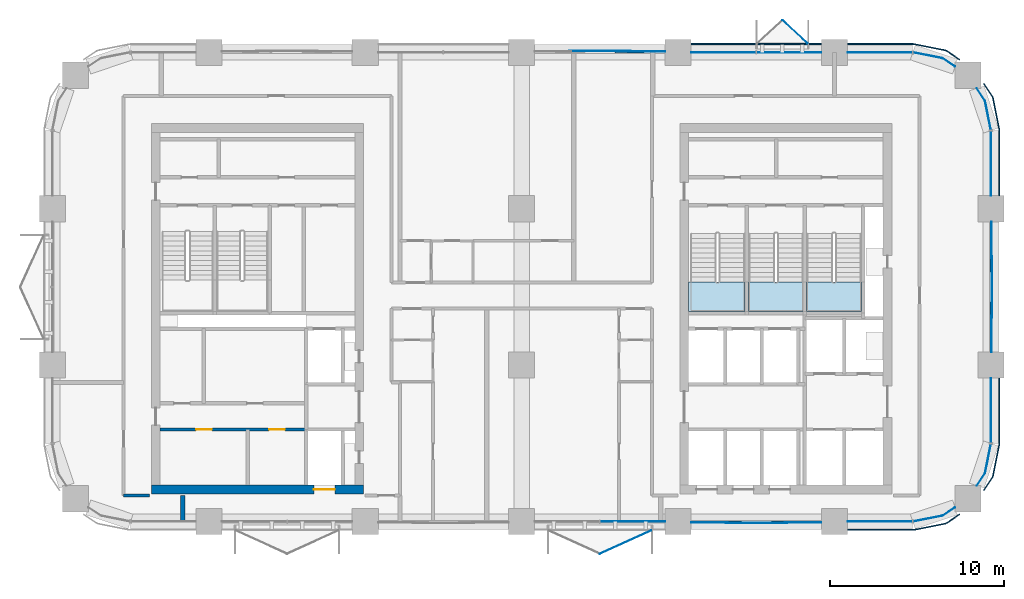
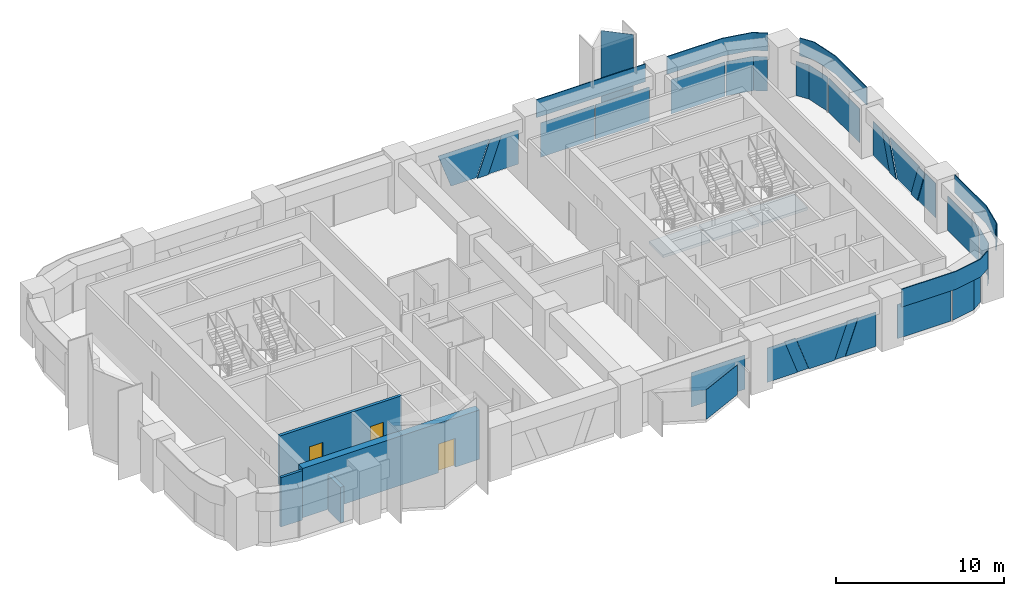
# One storey, part 7 of 14: 31 plates, 4 walls, 3 doors, 3 slabs, 3 openings, 12 elements without a shape of their own.
"""IFC4 building model written with IfcOpenShell, lengths in metres."""

from ifc_helpers import new_model, si_unit, direction, frame, frame_2d, origin, origin_2d, place, context, subcontext, project, spatial, polyline, rectangle, outline, extrude, material, layer, layer_set, type_object, element, fill, aggregate, save


model = new_model("IFC4")

# Units and contexts
model_context = context("Model", 3, precision=1e-05, world=origin(), true_north=direction((0.0, 1.0)))
body_context = subcontext(model_context, "Body", "Model", "MODEL_VIEW")
ifc_project = project(units=[si_unit("LENGTHUNIT", "METRE"), si_unit("AREAUNIT", "SQUARE_METRE"), si_unit("VOLUMEUNIT", "CUBIC_METRE"), si_unit("PLANEANGLEUNIT", "RADIAN"), si_unit("MASSUNIT", "GRAM", prefix="KILO")], contexts=[model_context])

# Site, building, storey
site_placement = place(None, origin())
site = spatial("IfcSite", under=ifc_project, at=site_placement, CompositionType="ELEMENT")
building_placement = place(site_placement, origin())
building = spatial("IfcBuilding", under=site, at=building_placement, Name="Tessera Arch", CompositionType="ELEMENT")
storey_placement = place(building_placement, frame((0.0, 0.0, 142.699951171875)))
storey = spatial("IfcBuildingStorey", under=building, at=storey_placement, Name="L33", CompositionType="ELEMENT", Elevation=142.699951171875)

# Curtain wall, plates
ifc_material_1 = material(Name="CW1 curtain wall")
curtain_wall_type_1 = type_object("IfcCurtainWallType", Name="CW1 curtain wall", PredefinedType="NOTDEFINED", material=ifc_material_1)
curtain_wall_1_placement = place(storey_placement, origin())
curtain_wall_1 = element("IfcCurtainWall", 1, at=curtain_wall_1_placement, inside=storey, type_object=curtain_wall_type_1, Name="CW1 curtain wall N54.0/1 L33", PredefinedType="NOTDEFINED")
ifc_material_2 = material(Name="Clear low-e glass", Category="glass")
ifc_material_3 = material(Name="Clear low-e glass", Category="glass")
ifc_layer_1 = layer(ifc_material_3, 0.028076171875)
ifc_layer_set_1 = layer_set([ifc_layer_1], Name="CW1 glass panel")
plate_type_1 = type_object("IfcPlateType", Name="CW1 glass panel", PredefinedType="CURTAIN_PANEL", material=ifc_layer_set_1)
plate_1_placement = place(storey_placement, frame((42.389892578125, 54.0, 0.0), z_axis=(0.0, 0.0, 1.0), x_axis=(-1.0, 0.0, 0.0)))
plate_1 = element("IfcPlate", 2, at=plate_1_placement, type_object=plate_type_1, material=ifc_material_2, Name="CW1 glass panel N54.0/1 1.1.1", PredefinedType="CURTAIN_PANEL", context=body_context, shape_type="SweptSolid", body=[
    extrude(rectangle(XDim=3.719970703125, YDim=0.028076171875, at=origin_2d()), origin(), (0.0, 0.0, 1.0), 2.5),
])
plate_2_placement = place(storey_placement, frame((38.610107421875, 54.0, 0.0), z_axis=(0.0, 0.0, 1.0), x_axis=(-1.0, 0.0, 0.0)))
plate_2 = element("IfcPlate", 3, at=plate_2_placement, type_object=plate_type_1, material=ifc_material_2, Name="CW1 glass panel N54.0/1 1.2.1", PredefinedType="CURTAIN_PANEL", context=body_context, shape_type="SweptSolid", body=[
    extrude(rectangle(XDim=3.719970703125, YDim=0.028076171875, at=origin_2d()), origin(), (0.0, 0.0, 1.0), 2.5),
])

# Curtain wall, plate
curtain_wall_2_placement = place(storey_placement, origin())
curtain_wall_2 = element("IfcCurtainWall", 4, at=curtain_wall_2_placement, inside=storey, type_object=curtain_wall_type_1, Name="CW1 curtain wall S27.0/3 L33", PredefinedType="NOTDEFINED")
plate_3_placement = place(storey_placement, frame((33.389892578125, 27.0, 0.0), z_axis=(0.0, 0.0, 1.0), x_axis=(1.0, 0.0, 0.0)))
plate_3 = element("IfcPlate", 5, at=plate_3_placement, type_object=plate_type_1, material=ifc_material_2, Name="CW1 glass panel S27.0/3 1.2.1", PredefinedType="CURTAIN_PANEL", context=body_context, shape_type="SweptSolid", body=[
    extrude(rectangle(XDim=3.719970703125, YDim=0.028076171875, at=origin_2d()), origin(), (0.0, 0.0, 1.0), 2.5),
])
aggregate(curtain_wall_2, [plate_3])

# Plate
ifc_material_4 = material(Name="Pale anodised aluminium panel", Category="aluminium")
ifc_layer_2 = layer(ifc_material_4, 0.06005859375)
ifc_layer_set_2 = layer_set([ifc_layer_2], Name="CW1 spandrel panel")
plate_type_2 = type_object("IfcPlateType", Name="CW1 spandrel panel", PredefinedType="CURTAIN_PANEL", material=ifc_layer_set_2)
plate_4_placement = place(storey_placement, frame((40.5, 54.47998046875, 2.60009765625), z_axis=(0.0, 0.0, 1.0), x_axis=(-1.0, 0.0, 0.0)))
plate_4 = element("IfcPlate", 6, at=plate_4_placement, type_object=plate_type_2, Name="CW1 spandrel panel N54.0/1", PredefinedType="CURTAIN_PANEL", context=body_context, shape_type="SweptSolid", body=[
    extrude(rectangle(XDim=7.5, YDim=0.06005859375, at=origin_2d()), origin(), (0.0, 0.0, 1.0), 1.300048828125),
])

aggregate(curtain_wall_1, [plate_1, plate_2, plate_4])

# Curtain wall, plates
ifc_material_5 = material(Name="CW2 curtain wall")
curtain_wall_type_2 = type_object("IfcCurtainWallType", Name="CW2 curtain wall", PredefinedType="NOTDEFINED", material=ifc_material_5)
curtain_wall_3_placement = place(storey_placement, origin())
curtain_wall_3 = element("IfcCurtainWall", 7, at=curtain_wall_3_placement, inside=storey, type_object=curtain_wall_type_2, Name="CW2 curtain wall E54.27/1 L33", PredefinedType="NOTDEFINED")
ifc_material_6 = material(Name="Clear low-e glass", Category="glass")
ifc_layer_3 = layer(ifc_material_6, 0.028076171875)
ifc_layer_set_3 = layer_set([ifc_layer_3], Name="CW2 glass panel")
plate_type_3 = type_object("IfcPlateType", Name="CW2 glass panel", PredefinedType="CURTAIN_PANEL", material=ifc_layer_set_3)
plate_5_placement = place(storey_placement, frame((54.0, 47.60498046875, 0.0), z_axis=(0.0, 0.0, 1.0), x_axis=(0.0, 1.0, 0.0)))
plate_5 = element("IfcPlate", 8, at=plate_5_placement, type_object=plate_type_3, material=ifc_material_2, Name="CW2 glass panel E54.27/1 1.1", PredefinedType="CURTAIN_PANEL", context=body_context, shape_type="SweptSolid", body=[
    extrude(rectangle(XDim=3.7099609375, YDim=0.028076171875, at=origin_2d()), origin(), (0.0, 0.0, 1.0), 2.5),
])
plate_6_placement = place(storey_placement, origin())
plate_6 = element("IfcPlate", 9, at=plate_6_placement, type_object=plate_type_3, material=ifc_material_2, Name="CW2 curved glass panel E54.27/1 2.1", PredefinedType="CURTAIN_PANEL", context=body_context, shape_type="SweptSolid", body=[
    extrude(outline(polyline([(53.644287109375, 51.216552734375), (53.978515625, 49.53662109375), (54.005859375, 49.5419921875), (53.670654296875, 51.2275390625), (53.19482421875, 51.939697265625), (53.17138671875, 51.92431640625), (53.644287109375, 51.216552734375)])), origin(), (0.0, 0.0, 1.0), 2.5),
])

curtain_wall_4_placement = place(storey_placement, origin())
curtain_wall_4 = element("IfcCurtainWall", 10, at=curtain_wall_4_placement, inside=storey, type_object=curtain_wall_type_2, Name="CW2 curtain wall N54.0/0 L33", PredefinedType="NOTDEFINED")
plate_7_placement = place(storey_placement, frame((47.60498046875, 54.0, 0.0), z_axis=(0.0, 0.0, 1.0), x_axis=(-1.0, 0.0, 0.0)))
plate_7 = element("IfcPlate", 11, at=plate_7_placement, type_object=plate_type_3, material=ifc_material_2, Name="CW2 glass panel N54.0/0 1.1", PredefinedType="CURTAIN_PANEL", context=body_context, shape_type="SweptSolid", body=[
    extrude(rectangle(XDim=3.7099609375, YDim=0.028076171875, at=origin_2d()), origin(), (0.0, 0.0, 1.0), 2.5),
])
plate_8_placement = place(storey_placement, origin())
plate_8 = element("IfcPlate", 12, at=plate_8_placement, type_object=plate_type_3, material=ifc_material_2, Name="CW2 curved glass panel N54.0/0 2.1", PredefinedType="CURTAIN_PANEL", context=body_context, shape_type="SweptSolid", body=[
    extrude(outline(polyline([(51.216552734375, 53.644287109375), (51.92431640625, 53.17138671875), (51.939697265625, 53.19482421875), (51.2275390625, 53.670654296875), (49.5419921875, 54.005859375), (49.53662109375, 53.978515625), (51.216552734375, 53.644287109375)])), origin(), (0.0, 0.0, 1.0), 2.5),
])

curtain_wall_5_placement = place(storey_placement, origin())
curtain_wall_5 = element("IfcCurtainWall", 13, at=curtain_wall_5_placement, inside=storey, type_object=curtain_wall_type_2, Name="CW2 curtain wall S27.0/5 L33", PredefinedType="NOTDEFINED")
plate_9_placement = place(storey_placement, frame((47.60498046875, 27.0, 0.0), z_axis=(0.0, 0.0, 1.0), x_axis=(1.0, 0.0, 0.0)))
plate_9 = element("IfcPlate", 14, at=plate_9_placement, type_object=plate_type_3, material=ifc_material_2, Name="CW2 glass panel S27.0/5 1.1", PredefinedType="CURTAIN_PANEL", context=body_context, shape_type="SweptSolid", body=[
    extrude(rectangle(XDim=3.7099609375, YDim=0.028076171875, at=origin_2d()), origin(), (0.0, 0.0, 1.0), 2.5),
])
plate_10_placement = place(storey_placement, origin())
plate_10 = element("IfcPlate", 15, at=plate_10_placement, type_object=plate_type_3, material=ifc_material_2, Name="CW2 curved glass panel S27.0/5 2.1", PredefinedType="CURTAIN_PANEL", context=body_context, shape_type="SweptSolid", body=[
    extrude(outline(polyline([(51.216552734375, 27.355712890625), (49.53662109375, 27.021484375), (49.5419921875, 26.994140625), (51.2275390625, 27.329345703125), (51.939697265625, 27.80517578125), (51.92431640625, 27.82861328125), (51.216552734375, 27.355712890625)])), origin(), (0.0, 0.0, 1.0), 2.5),
])

curtain_wall_6_placement = place(storey_placement, origin())
curtain_wall_6 = element("IfcCurtainWall", 16, at=curtain_wall_6_placement, inside=storey, type_object=curtain_wall_type_2, Name="CW2 curtain wall E54.27/2 L33", PredefinedType="NOTDEFINED")
plate_11_placement = place(storey_placement, frame((54.0, 33.39501953125, 0.0), z_axis=(0.0, 0.0, 1.0), x_axis=(0.0, 1.0, 0.0)))
plate_11 = element("IfcPlate", 17, at=plate_11_placement, type_object=plate_type_3, material=ifc_material_2, Name="CW2 glass panel E54.27/2 1.1", PredefinedType="CURTAIN_PANEL", context=body_context, shape_type="SweptSolid", body=[
    extrude(rectangle(XDim=3.7099609375, YDim=0.028076171875, at=origin_2d()), origin(), (0.0, 0.0, 1.0), 2.5),
])
plate_12_placement = place(storey_placement, origin())
plate_12 = element("IfcPlate", 18, at=plate_12_placement, type_object=plate_type_3, material=ifc_material_2, Name="CW2 curved glass panel E54.27/2 2.1", PredefinedType="CURTAIN_PANEL", context=body_context, shape_type="SweptSolid", body=[
    extrude(outline(polyline([(53.644287109375, 29.783447265625), (53.17138671875, 29.07568359375), (53.19482421875, 29.060302734375), (53.670654296875, 29.7724609375), (54.005859375, 31.4580078125), (53.978515625, 31.46337890625), (53.644287109375, 29.783447265625)])), origin(), (0.0, 0.0, 1.0), 2.5),
])

# Plate
ifc_material_7 = material(Name="Pale anodised aluminium panel", Category="aluminium")
ifc_layer_4 = layer(ifc_material_7, 0.06005859375)
ifc_layer_set_4 = layer_set([ifc_layer_4], Name="CW2 spandrel panel")
plate_type_4 = type_object("IfcPlateType", Name="CW2 spandrel panel", PredefinedType="CURTAIN_PANEL", material=ifc_layer_set_4)
plate_13_placement = place(storey_placement, frame((0.0, 0.0, 2.60009765625)))
plate_13 = element("IfcPlate", 19, at=plate_13_placement, type_object=plate_type_4, Name="CW2 spandrel panel E54.27/1", PredefinedType="CURTAIN_PANEL", context=body_context, shape_type="SweptSolid", body=[
    extrude(outline(polyline([(54.449951171875, 49.499267578125), (54.449951171875, 45.75), (54.510009765625, 45.75), (54.510009765625, 49.500732421875), (54.507568359375, 49.550048828125), (54.500244140625, 49.598876953125), (54.157470703125, 51.322265625), (54.1455078125, 51.3701171875), (54.128662109375, 51.417236328125), (54.107421875, 51.462646484375), (54.08203125, 51.5048828125), (53.607177734375, 52.21533203125), (53.55712890625, 52.18212890625), (54.03125, 51.47265625), (54.054443359375, 51.434326171875), (54.0732421875, 51.394287109375), (54.088134765625, 51.352783203125), (54.09912109375, 51.30908203125), (54.441162109375, 49.588623046875), (54.44775390625, 49.544189453125), (54.449951171875, 49.499267578125)])), origin(), (0.0, 0.0, 1.0), 1.300048828125),
])

aggregate(curtain_wall_3, [plate_5, plate_6, plate_13])

plate_14_placement = place(storey_placement, frame((0.0, 0.0, 2.60009765625)))
plate_14 = element("IfcPlate", 20, at=plate_14_placement, type_object=plate_type_4, Name="CW2 spandrel panel N54.0/0", PredefinedType="CURTAIN_PANEL", context=body_context, shape_type="SweptSolid", body=[
    extrude(outline(polyline([(51.47265625, 54.03125), (52.18212890625, 53.55712890625), (52.21533203125, 53.607177734375), (51.5048828125, 54.08203125), (51.462646484375, 54.107421875), (51.417236328125, 54.128662109375), (51.3701171875, 54.1455078125), (51.322265625, 54.157470703125), (49.598876953125, 54.500244140625), (49.550048828125, 54.507568359375), (49.500732421875, 54.510009765625), (45.75, 54.510009765625), (45.75, 54.449951171875), (49.499267578125, 54.449951171875), (49.544189453125, 54.44775390625), (49.588623046875, 54.441162109375), (51.30908203125, 54.09912109375), (51.352783203125, 54.088134765625), (51.394287109375, 54.0732421875), (51.434326171875, 54.054443359375), (51.47265625, 54.03125)])), origin(), (0.0, 0.0, 1.0), 1.300048828125),
])

aggregate(curtain_wall_4, [plate_7, plate_8, plate_14])

plate_15_placement = place(storey_placement, frame((0.0, 0.0, 2.60009765625)))
plate_15 = element("IfcPlate", 21, at=plate_15_placement, type_object=plate_type_4, Name="CW2 spandrel panel S27.0/5", PredefinedType="CURTAIN_PANEL", context=body_context, shape_type="SweptSolid", body=[
    extrude(outline(polyline([(49.499267578125, 26.550048828125), (45.75, 26.550048828125), (45.75, 26.489990234375), (49.500732421875, 26.489990234375), (49.550048828125, 26.492431640625), (49.598876953125, 26.499755859375), (51.322265625, 26.842529296875), (51.3701171875, 26.8544921875), (51.417236328125, 26.871337890625), (51.462646484375, 26.892578125), (51.5048828125, 26.91796875), (52.21533203125, 27.392822265625), (52.18212890625, 27.44287109375), (51.47265625, 26.96875), (51.434326171875, 26.945556640625), (51.394287109375, 26.9267578125), (51.352783203125, 26.911865234375), (51.30908203125, 26.90087890625), (49.588623046875, 26.558837890625), (49.544189453125, 26.55224609375), (49.499267578125, 26.550048828125)])), origin(), (0.0, 0.0, 1.0), 1.300048828125),
])

aggregate(curtain_wall_5, [plate_9, plate_10, plate_15])

plate_16_placement = place(storey_placement, frame((0.0, 0.0, 2.60009765625)))
plate_16 = element("IfcPlate", 22, at=plate_16_placement, type_object=plate_type_4, Name="CW2 spandrel panel E54.27/2", PredefinedType="CURTAIN_PANEL", context=body_context, shape_type="SweptSolid", body=[
    extrude(outline(polyline([(54.03125, 29.52734375), (53.55712890625, 28.81787109375), (53.607177734375, 28.78466796875), (54.08203125, 29.4951171875), (54.107421875, 29.537353515625), (54.128662109375, 29.582763671875), (54.1455078125, 29.6298828125), (54.157470703125, 29.677734375), (54.500244140625, 31.401123046875), (54.507568359375, 31.449951171875), (54.510009765625, 31.499267578125), (54.510009765625, 35.25), (54.449951171875, 35.25), (54.449951171875, 31.500732421875), (54.44775390625, 31.455810546875), (54.441162109375, 31.411376953125), (54.09912109375, 29.69091796875), (54.088134765625, 29.647216796875), (54.0732421875, 29.605712890625), (54.054443359375, 29.565673828125), (54.03125, 29.52734375)])), origin(), (0.0, 0.0, 1.0), 1.300048828125),
])

aggregate(curtain_wall_6, [plate_11, plate_12, plate_16])

# Curtain wall, plates
ifc_material_8 = material(Name="CW3 curtain wall")
curtain_wall_type_3 = type_object("IfcCurtainWallType", Name="CW3 curtain wall", PredefinedType="NOTDEFINED", material=ifc_material_8)
curtain_wall_7_placement = place(storey_placement, origin())
curtain_wall_7 = element("IfcCurtainWall", 23, at=curtain_wall_7_placement, inside=storey, type_object=curtain_wall_type_3, Name="CW3 curtain wall E54.27/0 L33", PredefinedType="NOTDEFINED")
ifc_material_9 = material(Name="Pale anodised aluminium panel", Category="aluminium")
ifc_layer_5 = layer(ifc_material_9, 0.06005859375)
ifc_layer_set_5 = layer_set([ifc_layer_5], Name="CW3 diagonal panel")
plate_type_5 = type_object("IfcPlateType", Name="CW3 diagonal panel", PredefinedType="CURTAIN_PANEL", material=ifc_layer_set_5)
plate_17_placement = place(storey_placement, frame((54.030029296875, 43.033203125, 2.5), z_axis=(1.0, 0.0, 0.0), x_axis=(0.0, -1.0, 0.0)))
plate_17 = element("IfcPlate", 24, at=plate_17_placement, type_object=plate_type_5, Name="CW3 diagonal panel E54.27/0 1", PredefinedType="CURTAIN_PANEL", context=body_context, shape_type="SweptSolid", body=[
    extrude(outline(polyline([(0.0, 0.0), (0.765625, 0.0), (1.654052734375, 2.5), (0.888671875, 2.5), (0.0, 0.0)])), origin(), (0.0, 0.0, -1.0), 0.06005859375),
])
plate_18_placement = place(storey_placement, frame((54.030029296875, 38.732421875, 2.5), z_axis=(1.0, 0.0, 0.0), x_axis=(0.0, -1.0, 0.0)))
plate_18 = element("IfcPlate", 25, at=plate_18_placement, type_object=plate_type_5, Name="CW3 diagonal panel E54.27/0 2", PredefinedType="CURTAIN_PANEL", context=body_context, shape_type="SweptSolid", body=[
    extrude(outline(polyline([(0.0, 0.0), (0.765625, 0.0), (-0.123046875, 2.5), (-0.888427734375, 2.5), (0.0, 0.0)])), origin(), (0.0, 0.0, -1.0), 0.06005859375),
])

# Curtain wall, plate
curtain_wall_8_placement = place(storey_placement, origin())
curtain_wall_8 = element("IfcCurtainWall", 26, at=curtain_wall_8_placement, inside=storey, type_object=curtain_wall_type_3, Name="CW3 curtain wall N54.0/2 L33", PredefinedType="NOTDEFINED")
plate_19_placement = place(storey_placement, frame((33.267578125, 54.030029296875, 2.5), z_axis=(0.0, 1.0, 0.0), x_axis=(1.0, 0.0, 0.0)))
plate_19 = element("IfcPlate", 27, at=plate_19_placement, type_object=plate_type_5, Name="CW3 diagonal panel N54.0/2 2", PredefinedType="CURTAIN_PANEL", context=body_context, shape_type="SweptSolid", body=[
    extrude(outline(polyline([(0.0, 0.0), (0.765625, 0.0), (-0.123046875, 2.5), (-0.888427734375, 2.5), (0.0, 0.0)])), origin(), (0.0, 0.0, -1.0), 0.06005859375),
])

# Curtain wall, plates
curtain_wall_9_placement = place(storey_placement, origin())
curtain_wall_9 = element("IfcCurtainWall", 28, at=curtain_wall_9_placement, inside=storey, type_object=curtain_wall_type_3, Name="CW3 curtain wall S27.0/4 L33", PredefinedType="NOTDEFINED")
plate_20_placement = place(storey_placement, frame((43.033203125, 26.969970703125, 2.5), z_axis=(0.0, -1.0, 0.0), x_axis=(-1.0, 0.0, 0.0)))
plate_20 = element("IfcPlate", 29, at=plate_20_placement, type_object=plate_type_5, Name="CW3 diagonal panel S27.0/4 1", PredefinedType="CURTAIN_PANEL", context=body_context, shape_type="SweptSolid", body=[
    extrude(outline(polyline([(0.0, 0.0), (0.765625, 0.0), (1.654052734375, 2.5), (0.888671875, 2.5), (0.0, 0.0)])), origin(), (0.0, 0.0, -1.0), 0.06005859375),
])
plate_21_placement = place(storey_placement, frame((38.732421875, 26.969970703125, 2.5), z_axis=(0.0, -1.0, 0.0), x_axis=(-1.0, 0.0, 0.0)))
plate_21 = element("IfcPlate", 30, at=plate_21_placement, type_object=plate_type_5, Name="CW3 diagonal panel S27.0/4 2", PredefinedType="CURTAIN_PANEL", context=body_context, shape_type="SweptSolid", body=[
    extrude(outline(polyline([(0.0, 0.0), (0.765625, 0.0), (-0.123046875, 2.5), (-0.888427734375, 2.5), (0.0, 0.0)])), origin(), (0.0, 0.0, -1.0), 0.06005859375),
])

# Plate
ifc_material_10 = material(Name="Clear low-e glass", Category="glass")
ifc_layer_6 = layer(ifc_material_10, 0.028076171875)
ifc_layer_set_6 = layer_set([ifc_layer_6], Name="CW3 glass panel")
plate_type_6 = type_object("IfcPlateType", Name="CW3 glass panel", PredefinedType="CURTAIN_PANEL", material=ifc_layer_set_6)
plate_22_placement = place(storey_placement, frame((54.05810546875, 36.75, 0.0), z_axis=(1.0, 0.0, 0.0), x_axis=(0.0, 1.0, 0.0)))
plate_22 = element("IfcPlate", 31, at=plate_22_placement, type_object=plate_type_6, material=ifc_material_2, Name="CW3 triangulated glass panel E54.27/0 1", PredefinedType="CURTAIN_PANEL", context=body_context, shape_type="SweptSolid", body=[
    extrude(outline(polyline([(0.0, 0.0), (2.10546875, 0.0), (1.216796875, 2.5), (0.0, 2.5), (0.0, 0.0)])), origin(), (0.0, 0.0, -1.0), 0.028076171875),
])

plate_23_placement = place(storey_placement, frame((54.0859375, 42.267578125, 2.5), z_axis=(1.0, 0.0, 0.0), x_axis=(0.0, -1.0, 0.0)))
plate_23 = element("IfcPlate", 32, at=plate_23_placement, type_object=plate_type_6, material=ifc_material_2, Name="CW3 triangulated glass panel E54.27/0 2", PredefinedType="CURTAIN_PANEL", context=body_context, shape_type="SweptSolid", body=[
    extrude(outline(polyline([(0.0, 0.0), (3.53515625, 0.0), (2.646728515625, 2.5), (0.888427734375, 2.5), (0.0, 0.0)])), origin(), (0.0, 0.0, -1.0), 0.028076171875),
])

plate_24_placement = place(storey_placement, frame((54.05810546875, 44.25, 2.5), z_axis=(1.0, 0.0, 0.0), x_axis=(0.0, -1.0, 0.0)))
plate_24 = element("IfcPlate", 33, at=plate_24_placement, type_object=plate_type_6, material=ifc_material_2, Name="CW3 triangulated glass panel E54.27/0 3", PredefinedType="CURTAIN_PANEL", context=body_context, shape_type="SweptSolid", body=[
    extrude(outline(polyline([(0.0, 0.0), (1.216796875, 0.0), (2.10546875, 2.5), (0.0, 2.5), (0.0, 0.0)])), origin(), (0.0, 0.0, -1.0), 0.028076171875),
])

aggregate(curtain_wall_7, [plate_22, plate_23, plate_24, plate_17, plate_18])

plate_25_placement = place(storey_placement, frame((35.25, 54.05810546875, 0.0), z_axis=(0.0, 1.0, 0.0), x_axis=(-1.0, 0.0, 0.0)))
plate_25 = element("IfcPlate", 34, at=plate_25_placement, type_object=plate_type_6, material=ifc_material_2, Name="CW3 triangulated glass panel N54.0/2 1", PredefinedType="CURTAIN_PANEL", context=body_context, shape_type="SweptSolid", body=[
    extrude(outline(polyline([(0.0, 0.0), (2.10546875, 0.0), (1.216796875, 2.5), (0.0, 2.5), (0.0, 0.0)])), origin(), (0.0, 0.0, -1.0), 0.028076171875),
])

plate_26_placement = place(storey_placement, frame((29.732421875, 54.0859375, 2.5), z_axis=(0.0, 1.0, 0.0), x_axis=(1.0, 0.0, 0.0)))
plate_26 = element("IfcPlate", 35, at=plate_26_placement, type_object=plate_type_6, material=ifc_material_2, Name="CW3 triangulated glass panel N54.0/2 2", PredefinedType="CURTAIN_PANEL", context=body_context, shape_type="SweptSolid", body=[
    extrude(outline(polyline([(0.0, 0.0), (3.53515625, 0.0), (2.646728515625, 2.5), (0.888427734375, 2.5), (0.0, 0.0)])), origin(), (0.0, 0.0, -1.0), 0.028076171875),
])

aggregate(curtain_wall_8, [plate_25, plate_26, plate_19])

plate_27_placement = place(storey_placement, frame((36.75, 26.94189453125, 0.0), z_axis=(0.0, -1.0, 0.0), x_axis=(1.0, 0.0, 0.0)))
plate_27 = element("IfcPlate", 36, at=plate_27_placement, type_object=plate_type_6, material=ifc_material_2, Name="CW3 triangulated glass panel S27.0/4 1", PredefinedType="CURTAIN_PANEL", context=body_context, shape_type="SweptSolid", body=[
    extrude(outline(polyline([(0.0, 0.0), (2.10546875, 0.0), (1.216796875, 2.5), (0.0, 2.5), (0.0, 0.0)])), origin(), (0.0, 0.0, -1.0), 0.028076171875),
])

plate_28_placement = place(storey_placement, frame((42.267578125, 26.9140625, 2.5), z_axis=(0.0, -1.0, 0.0), x_axis=(-1.0, 0.0, 0.0)))
plate_28 = element("IfcPlate", 37, at=plate_28_placement, type_object=plate_type_6, material=ifc_material_2, Name="CW3 triangulated glass panel S27.0/4 2", PredefinedType="CURTAIN_PANEL", context=body_context, shape_type="SweptSolid", body=[
    extrude(outline(polyline([(0.0, 0.0), (3.53515625, 0.0), (2.646728515625, 2.5), (0.888427734375, 2.5), (0.0, 0.0)])), origin(), (0.0, 0.0, -1.0), 0.028076171875),
])

plate_29_placement = place(storey_placement, frame((44.25, 26.94189453125, 2.5), z_axis=(0.0, -1.0, 0.0), x_axis=(-1.0, 0.0, 0.0)))
plate_29 = element("IfcPlate", 38, at=plate_29_placement, type_object=plate_type_6, material=ifc_material_2, Name="CW3 triangulated glass panel S27.0/4 3", PredefinedType="CURTAIN_PANEL", context=body_context, shape_type="SweptSolid", body=[
    extrude(outline(polyline([(0.0, 0.0), (1.216796875, 0.0), (2.10546875, 2.5), (0.0, 2.5), (0.0, 0.0)])), origin(), (0.0, 0.0, -1.0), 0.028076171875),
])

aggregate(curtain_wall_9, [plate_27, plate_28, plate_29, plate_20, plate_21])

# Stair, slab
ifc_material_11 = material(Name="Concrete C40/50", Category="concrete")
stair_type = type_object("IfcStairType", Name="Dogleg stair 1520", PredefinedType="HALF_TURN_STAIR", material=ifc_material_11)
stair_1_placement = place(storey_placement, origin())
stair_1 = element("IfcStair", 39, at=stair_1_placement, inside=storey, type_object=stair_type, Name="L33 S1a", PredefinedType="HALF_TURN_STAIR")
ifc_material_12 = material(Name="Concrete C40/50", Category="concrete")
ifc_layer_7 = layer(ifc_material_12, 0.300048828125)
ifc_layer_set_7 = layer_set([ifc_layer_7], Name="Stair landing 300")
slab_type = type_object("IfcSlabType", Name="Stair landing 300", PredefinedType="LANDING", material=ifc_layer_set_7)
slab_1_placement = place(storey_placement, frame((0.0, 0.0, 1.75)))
slab_1 = element("IfcSlab", 40, at=slab_1_placement, type_object=slab_type, Name="S1a landing 1", PredefinedType="LANDING", context=body_context, shape_type="SweptSolid", body=[
    extrude(outline(polyline([(36.60009765625, 40.780029296875), (36.60009765625, 39.10009765625), (39.85009765625, 39.10009765625), (39.85009765625, 40.780029296875), (36.60009765625, 40.780029296875)])), origin(), (0.0, 0.0, 1.0), 0.199951171875),
])
aggregate(stair_1, [slab_1])

stair_2_placement = place(storey_placement, origin())
stair_2 = element("IfcStair", 41, at=stair_2_placement, inside=storey, type_object=stair_type, Name="L33 S1b", PredefinedType="HALF_TURN_STAIR")
slab_2_placement = place(storey_placement, frame((0.0, 0.0, 1.75)))
slab_2 = element("IfcSlab", 42, at=slab_2_placement, type_object=slab_type, Name="S1b landing 1", PredefinedType="LANDING", context=body_context, shape_type="SweptSolid", body=[
    extrude(outline(polyline([(40.050048828125, 40.780029296875), (40.050048828125, 39.10009765625), (43.199951171875, 39.10009765625), (43.199951171875, 40.780029296875), (40.050048828125, 40.780029296875)])), origin(), (0.0, 0.0, 1.0), 0.199951171875),
])
aggregate(stair_2, [slab_2])

stair_3_placement = place(storey_placement, origin())
stair_3 = element("IfcStair", 43, at=stair_3_placement, inside=storey, type_object=stair_type, Name="L33 S1c", PredefinedType="HALF_TURN_STAIR")
slab_3_placement = place(storey_placement, frame((0.0, 0.0, 1.75)))
slab_3 = element("IfcSlab", 44, at=slab_3_placement, type_object=slab_type, Name="S1c landing 1", PredefinedType="LANDING", context=body_context, shape_type="SweptSolid", body=[
    extrude(outline(polyline([(43.39990234375, 40.780029296875), (43.39990234375, 39.10009765625), (46.550048828125, 39.10009765625), (46.550048828125, 40.780029296875), (43.39990234375, 40.780029296875)])), origin(), (0.0, 0.0, 1.0), 0.199951171875),
])
aggregate(stair_3, [slab_3])

# Plates
ifc_material_13 = material(Name="Clear low-e glass", Category="glass")
ifc_layer_8 = layer(ifc_material_13, 0.028076171875)
ifc_layer_set_8 = layer_set([ifc_layer_8], Name="Window box glass facet")
plate_type_7 = type_object("IfcPlateType", Name="Window box glass facet", PredefinedType="SHEET", material=ifc_layer_set_8)
plate_30_placement = place(storey_placement, frame((32.97509765625, 25.820068359375, 0.22021484375), z_axis=(0.0, 0.0, 1.0), x_axis=(-0.910472144558, -0.413570397858, 0.0)))
element("IfcPlate", 45, at=plate_30_placement, inside=storey, type_object=plate_type_7, Name="Window box S27.0/3.0 2x1 glass", PredefinedType="SHEET", context=body_context, shape_type="SweptSolid", body=[
    extrude(rectangle(XDim=3.239990234375, YDim=0.028076171875, at=origin_2d()), origin(), (0.0, 0.0, 1.0), 2.159912109375),
])
plate_31_placement = place(storey_placement, frame((42.72509765625, 55.179931640625, 0.219970703125), z_axis=(0.0, 0.0, 1.0), x_axis=(-0.734414958885, 0.678700720617, 0.0)))
element("IfcPlate", 46, at=plate_31_placement, inside=storey, type_object=plate_type_7, Name="Window box N54.0/1.0 1x2 glass", PredefinedType="SHEET", context=body_context, shape_type="SweptSolid", body=[
    extrude(rectangle(XDim=1.974365234375, YDim=0.028076171875, at=origin_2d()), origin(), (0.0, 0.0, 1.0), 6.06005859375),
])

# Wall, openings, doors
ifc_material_14 = material(Name="Gypsum board on steel stud", Category="steel")
ifc_layer_9 = layer(ifc_material_14, 0.125)
ifc_layer_set_9 = layer_set([ifc_layer_9], Name="Core partition 125 EI 60")
wall_type_1 = type_object("IfcWallType", Name="Core partition 125 EI 60", PredefinedType="PARTITIONING", material=ifc_layer_set_9)
wall_1_placement = place(storey_placement, frame((6.199951171875, 32.300048828125, 0.0), z_axis=(0.0, 0.0, 1.0), x_axis=(1.0, 0.0, 0.0)))
wall_1 = element("IfcWall", 47, at=wall_1_placement, inside=storey, type_object=wall_type_1, Name="L33 C2 partition wall 14", PredefinedType="PARTITIONING", context=body_context, shape_type="SweptSolid", body=[
    extrude(rectangle(XDim=8.400146484375, YDim=0.199951171875, at=frame_2d((4.2001953125, 0.0))), origin(), (0.0, 0.0, 1.0), 3.60009765625),
])
opening_1_placement = place(wall_1_placement, frame((2.070068359375, 0.0, 0.0)))
opening_1 = element("IfcOpeningElement", 48, at=opening_1_placement, cuts=wall_1, Name="Opening L33-C33", PredefinedType="OPENING", context=body_context, shape_type="SweptSolid", body=[
    extrude(rectangle(XDim=0.89990234375, YDim=2.10009765625, at=frame_2d((0.449951171875, 1.050048828125))), frame((0.0, 0.10986328125, 0.0), z_axis=(0.0, -1.0, 0.0), x_axis=(1.0, 0.0, 0.0)), (0.0, 0.0, 1.0), 0.219970703125),
])
opening_2_placement = place(wall_1_placement, frame((6.27001953125, 0.0, 0.0)))
opening_2 = element("IfcOpeningElement", 49, at=opening_2_placement, cuts=wall_1, Name="Opening L33-C34", PredefinedType="OPENING", context=body_context, shape_type="SweptSolid", body=[
    extrude(rectangle(XDim=0.89990234375, YDim=2.10009765625, at=frame_2d((0.449951171875, 1.050048828125))), frame((0.0, 0.10986328125, 0.0), z_axis=(0.0, -1.0, 0.0), x_axis=(1.0, 0.0, 0.0)), (0.0, 0.0, 1.0), 0.219970703125),
])
ifc_material_15 = material(Name="Steel door leaf", Category="steel")
door_type_1 = type_object("IfcDoorType", Name="Store door FD30S 900 x 2100", OperationType="SINGLE_SWING_LEFT", PredefinedType="DOOR", material=ifc_material_15)
door_1_placement = place(opening_1_placement, origin())
door_1 = element("IfcDoor", 50, at=door_1_placement, inside=storey, type_object=door_type_1, Name="L33 C2 door 14 C33 type D09", OperationType="SINGLE_SWING_LEFT", OverallHeight=2.10009765625, OverallWidth=0.89990234375, PredefinedType="DOOR", context=body_context, shape_type="SweptSolid", body=[
    extrude(rectangle(XDim=0.89990234375, YDim=2.10009765625, at=frame_2d((0.449951171875, 1.050048828125))), frame((0.0, 0.02490234375, 0.0), z_axis=(0.0, -1.0, 0.0), x_axis=(1.0, 0.0, 0.0)), (0.0, 0.0, 1.0), 0.050048828125),
])
fill(opening_1, door_1)
door_2_placement = place(opening_2_placement, origin())
door_2 = element("IfcDoor", 51, at=door_2_placement, inside=storey, type_object=door_type_1, Name="L33 C2 door 15 C34 type D09", OperationType="SINGLE_SWING_RIGHT", OverallHeight=2.10009765625, OverallWidth=0.89990234375, PredefinedType="DOOR", context=body_context, shape_type="SweptSolid", body=[
    extrude(rectangle(XDim=0.89990234375, YDim=2.10009765625, at=frame_2d((0.449951171875, 1.050048828125))), frame((0.0, 0.02490234375, 0.0), z_axis=(0.0, -1.0, 0.0), x_axis=(1.0, 0.0, 0.0)), (0.0, 0.0, 1.0), 0.050048828125),
])
fill(opening_2, door_2)

# Wall, opening, door
ifc_material_16 = material(Name="Concrete C60/75", Category="concrete")
ifc_layer_10 = layer(ifc_material_16, 0.5)
ifc_layer_set_10 = layer_set([ifc_layer_10], Name="Core shell wall 500 C60-75")
wall_type_2 = type_object("IfcWallType", Name="Core shell wall 500 C60-75", PredefinedType="SHEAR", material=ifc_layer_set_10)
wall_2_placement = place(storey_placement, frame((5.699951171875, 28.85009765625, 0.0), z_axis=(0.0, 0.0, 1.0), x_axis=(1.0, 0.0, 0.0)))
wall_2 = element("IfcWall", 52, at=wall_2_placement, inside=storey, type_object=wall_type_2, Name="L33 C2 core wall S", PredefinedType="SHEAR", context=body_context, shape_type="SweptSolid", body=[
    extrude(rectangle(XDim=12.199951171875, YDim=0.5, at=frame_2d((6.10009765625, 0.0))), origin(), (0.0, 0.0, 1.0), 3.60009765625),
])
opening_3_placement = place(wall_2_placement, frame((9.35009765625, 0.0, 0.0)))
opening_3 = element("IfcOpeningElement", 53, at=opening_3_placement, cuts=wall_2, Name="Opening L33-C20", PredefinedType="OPENING", context=body_context, shape_type="SweptSolid", body=[
    extrude(rectangle(XDim=1.199951171875, YDim=2.10009765625, at=frame_2d((0.60009765625, 1.050048828125))), frame((0.0, 0.260009765625, 0.0), z_axis=(0.0, -1.0, 0.0), x_axis=(1.0, 0.0, 0.0)), (0.0, 0.0, 1.0), 0.52001953125),
])
ifc_material_17 = material(Name="Stainless steel AISI 304", Category="steel")
door_type_2 = type_object("IfcDoorType", Name="Sliding landing door 1200 x 2100", OperationType="SLIDING_TO_LEFT", PredefinedType="DOOR", material=ifc_material_17)
door_3_placement = place(opening_3_placement, origin())
door_3 = element("IfcDoor", 54, at=door_3_placement, inside=storey, type_object=door_type_2, Name="L33 HR7 lift landing door C20 type LD", OperationType="SLIDING_TO_LEFT", OverallHeight=2.10009765625, OverallWidth=1.199951171875, PredefinedType="DOOR", context=body_context, shape_type="SweptSolid", body=[
    extrude(rectangle(XDim=1.199951171875, YDim=2.10009765625, at=frame_2d((0.60009765625, 1.050048828125))), frame((0.0, 0.02490234375, 0.0), z_axis=(0.0, -1.0, 0.0), x_axis=(1.0, 0.0, 0.0)), (0.0, 0.0, 1.0), 0.050048828125),
])
fill(opening_3, door_3)

# Walls
ifc_material_18 = material(Name="Gypsum board on deep steel stud with mineral wool", Category="steel")
ifc_layer_11 = layer(ifc_material_18, 0.175048828125)
ifc_layer_set_11 = layer_set([ifc_layer_11], Name="Corridor wall 175 EI 60")
wall_type_3 = type_object("IfcWallType", Name="Corridor wall 175 EI 60", PredefinedType="PARTITIONING", material=ifc_layer_set_11)
wall_3_placement = place(storey_placement, frame((4.10009765625, 28.5, 0.0), z_axis=(0.0, 0.0, 1.0), x_axis=(1.0, 0.0, 0.0)))
element("IfcWall", 55, at=wall_3_placement, inside=storey, type_object=wall_type_3, Name="L33 partition 1", PredefinedType="PARTITIONING", context=body_context, shape_type="SweptSolid", body=[
    extrude(rectangle(XDim=1.5, YDim=0.175048828125, at=frame_2d((0.75, 0.0))), origin(), (0.0, 0.0, 1.0), 3.60009765625),
])
ifc_material_19 = material(Name="Double gypsum board on twin steel stud with acoustic mineral wool", Category="steel")
ifc_layer_12 = layer(ifc_material_19, 0.25)
ifc_layer_set_12 = layer_set([ifc_layer_12], Name="Party wall 250 EI 60")
wall_type_4 = type_object("IfcWallType", Name="Party wall 250 EI 60", PredefinedType="PARTITIONING", material=ifc_layer_set_12)
wall_4_placement = place(storey_placement, frame((7.5029296875, 27.0, 0.0), z_axis=(0.0, 0.0, 1.0), x_axis=(0.0, 1.0, 0.0)))
element("IfcWall", 56, at=wall_4_placement, inside=storey, type_object=wall_type_4, Name="L33 partition 25", PredefinedType="PARTITIONING", context=body_context, shape_type="SweptSolid", body=[
    extrude(rectangle(XDim=1.5, YDim=0.25, at=frame_2d((0.75, 0.0))), origin(), (0.0, 0.0, 1.0), 2.60009765625),
])

save(model, "model.ifc")
